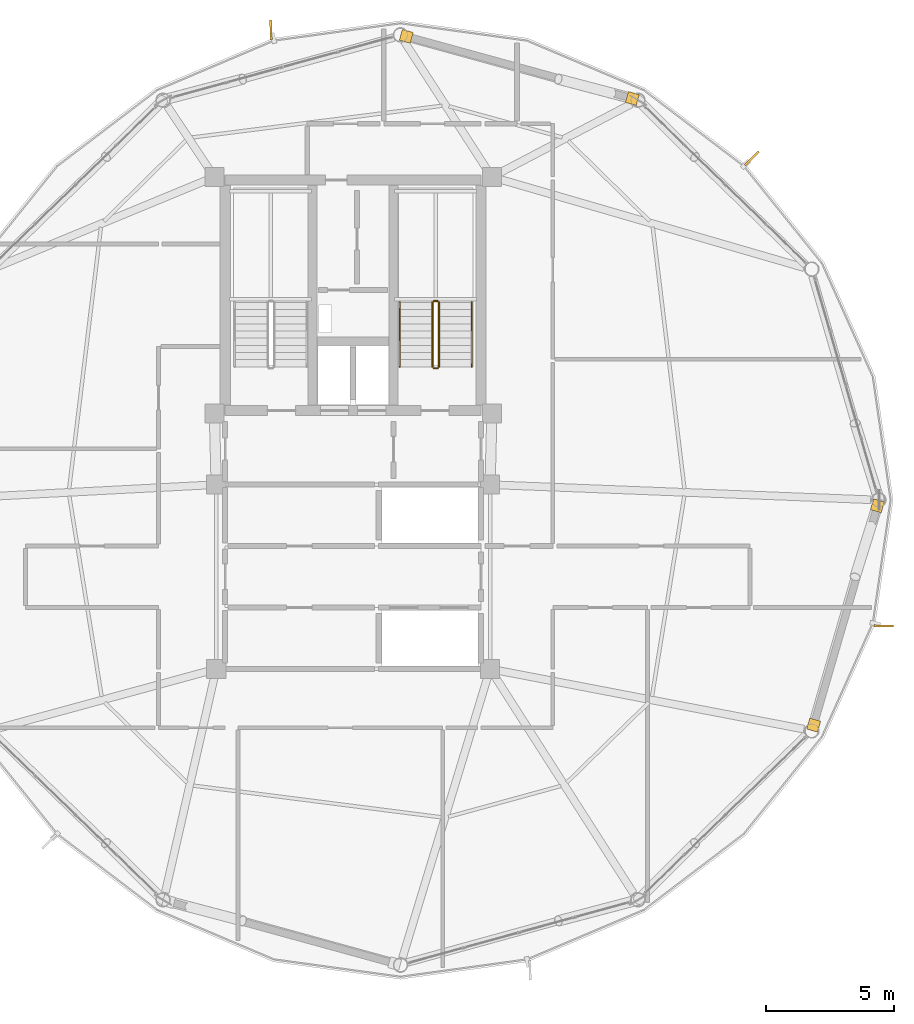
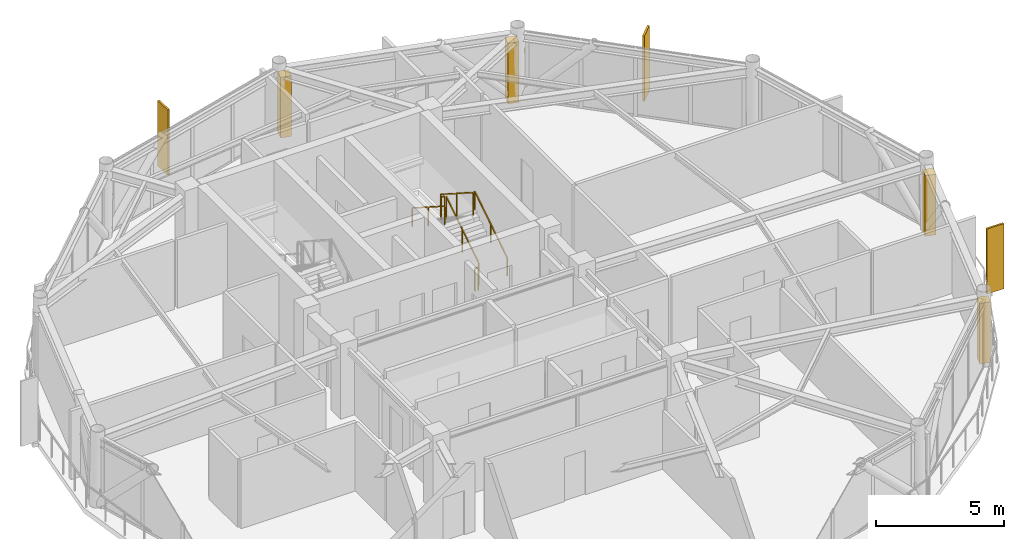
# One storey, part 28 of 28: 6 railings, 4 coverings, 3 shading devices.
"""IFC4 building model written with IfcOpenShell, lengths in metres."""

from ifc_helpers import new_model, si_unit, direction, frame, origin, origin_2d, place, context, subcontext, project, spatial, rectangle, extrude, source, transform, mapped, material, layer, layer_set, type_object, type_shapes, element, save


model = new_model("IFC4")

# Units and contexts
model_context = context("Model", 3, precision=1e-05, world=origin(), true_north=direction((0.0, 1.0)))
body_context = subcontext(model_context, "Body", "Model", "MODEL_VIEW")
ifc_project = project(units=[si_unit("LENGTHUNIT", "METRE"), si_unit("AREAUNIT", "SQUARE_METRE"), si_unit("VOLUMEUNIT", "CUBIC_METRE"), si_unit("PLANEANGLEUNIT", "RADIAN"), si_unit("MASSUNIT", "GRAM", prefix="KILO")], contexts=[model_context])

# Site, building, storey
site_placement = place(None, origin())
site = spatial("IfcSite", under=ifc_project, at=site_placement, CompositionType="ELEMENT")
building_placement = place(site_placement, origin())
building = spatial("IfcBuilding", under=site, at=building_placement, Name="Varnakorn Sky Granary", CompositionType="ELEMENT")
storey_placement = place(building_placement, frame((0.0, 0.0, 236.39990234375)))
storey = spatial("IfcBuildingStorey", under=building, at=storey_placement, Name="L60", CompositionType="ELEMENT", Elevation=236.39990234375)

# Railings
ifc_material_1 = material(Name="Brushed Stainless Steel 316", Category="steel")
railing_type_1 = type_object("IfcRailingType", Name="RL-STAIR-1100", PredefinedType="GUARDRAIL", material=ifc_material_1)
railing_1_placement = place(storey_placement, frame((6.35009765625, 5.199951171875, 0.18017578125)))
element("IfcRailing", 1, at=railing_1_placement, inside=storey, type_object=railing_type_1, Name="L60 ST-2 stair guard 1", PredefinedType="GUARDRAIL", context=body_context, shape_type="SweptSolid", body=[
    extrude(rectangle(XDim=0.048095703125, YDim=0.048095703125, at=origin_2d()), frame((0.0, 0.0, 1.076171875), z_axis=(0.0, 0.841199657755, 0.540724639528), x_axis=(-1.0, 0.0, 0.0)), (0.0, 0.0, 1.0), 2.995849609375),
    extrude(rectangle(XDim=0.0419921875, YDim=0.0419921875, at=origin_2d()), origin(), (0.0, 0.0, 1.0), 1.048095703125),
    extrude(rectangle(XDim=0.0419921875, YDim=0.0419921875, at=origin_2d()), frame((0.0, 1.260009765625, 0.81005859375)), (0.0, 0.0, 1.0), 1.048095703125),
    extrude(rectangle(XDim=0.0419921875, YDim=0.0419921875, at=origin_2d()), frame((0.0, 2.52001953125, 1.619873046875)), (0.0, 0.0, 1.0), 1.048095703125),
])
railing_2_placement = place(storey_placement, frame((6.300048828125, 7.77001953125, 1.800048828125)))
element("IfcRailing", 2, at=railing_2_placement, inside=storey, type_object=railing_type_1, Name="L60 ST-2 stair guard 2", PredefinedType="GUARDRAIL", context=body_context, shape_type="SweptSolid", body=[
    extrude(rectangle(XDim=0.048095703125, YDim=0.048095703125, at=origin_2d()), frame((0.0, 0.0, 1.076171875), z_axis=(-1.0, 0.0, 0.0), x_axis=(0.0, -1.0, 0.0)), (0.0, 0.0, 1.0), 0.150146484375),
    extrude(rectangle(XDim=0.0419921875, YDim=0.0419921875, at=origin_2d()), origin(), (0.0, 0.0, 1.0), 1.048095703125),
    extrude(rectangle(XDim=0.0419921875, YDim=0.0419921875, at=origin_2d()), frame((-0.150146484375, 0.0, 0.0)), (0.0, 0.0, 1.0), 1.048095703125),
])
railing_3_placement = place(storey_placement, frame((6.10009765625, 7.719970703125, 1.97998046875)))
element("IfcRailing", 3, at=railing_3_placement, inside=storey, type_object=railing_type_1, Name="L60 ST-2 stair guard 3", PredefinedType="GUARDRAIL", context=body_context, shape_type="SweptSolid", body=[
    extrude(rectangle(XDim=0.048095703125, YDim=0.048095703125, at=origin_2d()), frame((0.0, 0.0, 1.076171875), z_axis=(0.0, -0.841162588446, 0.540782303519), x_axis=(1.0, 0.0, 0.0)), (0.0, 0.0, 1.0), 2.995849609375),
    extrude(rectangle(XDim=0.0419921875, YDim=0.0419921875, at=origin_2d()), origin(), (0.0, 0.0, 1.0), 1.048095703125),
    extrude(rectangle(XDim=0.0419921875, YDim=0.0419921875, at=origin_2d()), frame((0.0, -1.260009765625, 0.81005859375)), (0.0, 0.0, 1.0), 1.048095703125),
    extrude(rectangle(XDim=0.0419921875, YDim=0.0419921875, at=origin_2d()), frame((0.0, -2.52001953125, 1.6201171875)), (0.0, 0.0, 1.0), 1.048095703125),
])
railing_4_placement = place(storey_placement, frame((6.300048828125, 5.14990234375, 0.0)))
element("IfcRailing", 4, at=railing_4_placement, inside=storey, type_object=railing_type_1, Name="L60 ST-2 stair guard 4", PredefinedType="GUARDRAIL", context=body_context, shape_type="SweptSolid", body=[
    extrude(rectangle(XDim=0.048095703125, YDim=0.048095703125, at=origin_2d()), frame((0.0, 0.0, 1.076171875), z_axis=(-1.0, 0.0, 0.0), x_axis=(0.0, -1.0, 0.0)), (0.0, 0.0, 1.0), 0.150146484375),
    extrude(rectangle(XDim=0.0419921875, YDim=0.0419921875, at=origin_2d()), origin(), (0.0, 0.0, 1.0), 1.048095703125),
    extrude(rectangle(XDim=0.0419921875, YDim=0.0419921875, at=origin_2d()), frame((-0.150146484375, 0.0, 0.0)), (0.0, 0.0, 1.0), 1.048095703125),
])
railing_type_2 = type_object("IfcRailingType", Name="RL-STAIR-920", PredefinedType="HANDRAIL", material=ifc_material_1)
railing_5_placement = place(storey_placement, frame((7.6298828125, 5.199951171875, 0.18017578125)))
element("IfcRailing", 5, at=railing_5_placement, inside=storey, type_object=railing_type_2, Name="L60 ST-2 stair handrail 1", PredefinedType="HANDRAIL", context=body_context, shape_type="SweptSolid", body=[
    extrude(rectangle(XDim=0.048095703125, YDim=0.048095703125, at=origin_2d()), frame((0.0, 0.0, 0.8759765625), z_axis=(0.0, 0.841199657755, 0.540724639528), x_axis=(-1.0, 0.0, 0.0)), (0.0, 0.0, 1.0), 2.995849609375),
    extrude(rectangle(XDim=0.0419921875, YDim=0.0419921875, at=origin_2d()), origin(), (0.0, 0.0, 1.0), 0.847900390625),
    extrude(rectangle(XDim=0.0419921875, YDim=0.0419921875, at=origin_2d()), frame((0.0, 1.260009765625, 0.81005859375)), (0.0, 0.0, 1.0), 0.847900390625),
    extrude(rectangle(XDim=0.0419921875, YDim=0.0419921875, at=origin_2d()), frame((0.0, 2.52001953125, 1.619873046875)), (0.0, 0.0, 1.0), 0.847900390625),
])
railing_6_placement = place(storey_placement, frame((4.820068359375, 7.719970703125, 1.97998046875)))
element("IfcRailing", 6, at=railing_6_placement, inside=storey, type_object=railing_type_2, Name="L60 ST-2 stair handrail 2", PredefinedType="HANDRAIL", context=body_context, shape_type="SweptSolid", body=[
    extrude(rectangle(XDim=0.048095703125, YDim=0.048095703125, at=origin_2d()), frame((0.0, 0.0, 0.8759765625), z_axis=(0.0, -0.841162588446, 0.540782303519), x_axis=(1.0, 0.0, 0.0)), (0.0, 0.0, 1.0), 2.995849609375),
    extrude(rectangle(XDim=0.0419921875, YDim=0.0419921875, at=origin_2d()), origin(), (0.0, 0.0, 1.0), 0.847900390625),
    extrude(rectangle(XDim=0.0419921875, YDim=0.0419921875, at=origin_2d()), frame((0.0, -1.260009765625, 0.81005859375)), (0.0, 0.0, 1.0), 0.847900390625),
    extrude(rectangle(XDim=0.0419921875, YDim=0.0419921875, at=origin_2d()), frame((0.0, -2.52001953125, 1.6201171875)), (0.0, 0.0, 1.0), 0.847900390625),
])

# Shading devices
ifc_material_2 = material(Name="Anodised Bronze Aluminium Alloy 6063-T6", Category="aluminium")
shading_device_type = type_object("IfcShadingDeviceType", Name="SH-FIN-03", PredefinedType="USERDEFINED", material=ifc_material_2)
shared_shape_1 = source(origin(), body_context, "Body", "SweptSolid", [
    extrude(rectangle(XDim=0.0849609375, YDim=0.760009765625, at=origin_2d()), origin(), (0.0, 0.0, 1.0), 3.10009765625),
])
type_shapes(shading_device_type, [shared_shape_1])
for number, where, z_axis, x_axis, name in (
    (7, (18.578125, 13.348388671875, -0.0400390625), (0.0, 0.0, 1.0), (-0.702714726558, 0.711471723316, 0.0), "Bronze Solar-Tracking Vertical Blade FIN L60-02"),
    (8, (-0.211181640625, 18.3701171875, -0.0400390625), (0.0, 0.0, 1.0), (-0.999579723422, -0.02898924841, 0.0), "Bronze Solar-Tracking Vertical Blade FIN L60-04"),
    (9, (23.727783203125, -4.91943359375, -0.0400390625), (0.0, 0.0, 1.0), (0.01118228807, 0.999937476262, 0.0), "Bronze Solar-Tracking Vertical Blade FIN L60-12"),
):
    element("IfcShadingDevice", number, at=place(storey_placement, frame(where, z_axis=z_axis, x_axis=x_axis)), inside=storey, type_object=shading_device_type, Name=name, ObjectType="FIN", PredefinedType="USERDEFINED", context=body_context, shape_type="MappedRepresentation", body=[
        mapped(shared_shape_1, transform((0.0, 0.0, 0.0), x_axis=(1.0, 0.0, 0.0), y_axis=(0.0, 1.0, 0.0), z_axis=(0.0, 0.0, 1.0), scale=1.0)),
    ])

# Coverings
ifc_layer = layer(ifc_material_2, 0.050048828125, Name="Anodised Bronze Aluminium Alloy 6063-T6")
ifc_layer_set = layer_set([ifc_layer], Name="Anodised Bronze Aluminium Alloy 6063-T6")
covering_type = type_object("IfcCoveringType", Name="CV-CLAD-50", PredefinedType="CLADDING", material=ifc_layer_set)
shared_shape_2 = source(origin(), body_context, "Body", "SweptSolid", [
    extrude(rectangle(XDim=0.43994140625, YDim=0.43994140625, at=origin_2d()), origin(), (0.0, 0.0, 1.0), 2.8798828125),
])
type_shapes(covering_type, [shared_shape_2])
for number, where, z_axis, x_axis, name in (
    (10, (5.076171875, 18.11181640625, -0.019775390625), (0.0, 0.0, 1.0), (0.96423431693, -0.265051281935, 0.0), "Bronze Corner Pilaster Closure L60-P03-A"),
    (11, (13.905517578125, 15.684326171875, -0.019775390625), (0.0, 0.0, 1.0), (0.96423431693, -0.265051281935, 0.0), "Bronze Corner Pilaster Closure L60-P03-B"),
    (12, (23.482421875, -0.22509765625, -0.019775390625), (0.0, 0.0, 1.0), (-0.279158704655, -0.960244977917, 0.0), "Bronze Corner Pilaster Closure L60-P12-A"),
    (13, (20.991455078125, -8.794189453125, -0.019775390625), (0.0, 0.0, 1.0), (-0.279158704655, -0.960244977917, 0.0), "Bronze Corner Pilaster Closure L60-P12-B"),
):
    element("IfcCovering", number, at=place(storey_placement, frame(where, z_axis=z_axis, x_axis=x_axis)), inside=storey, type_object=covering_type, Name=name, PredefinedType="CLADDING", context=body_context, shape_type="MappedRepresentation", body=[
        mapped(shared_shape_2, transform((0.0, 0.0, 0.0), x_axis=(1.0, 0.0, 0.0), y_axis=(0.0, 1.0, 0.0), z_axis=(0.0, 0.0, 1.0), scale=1.0)),
    ])

save(model, "model.ifc")
